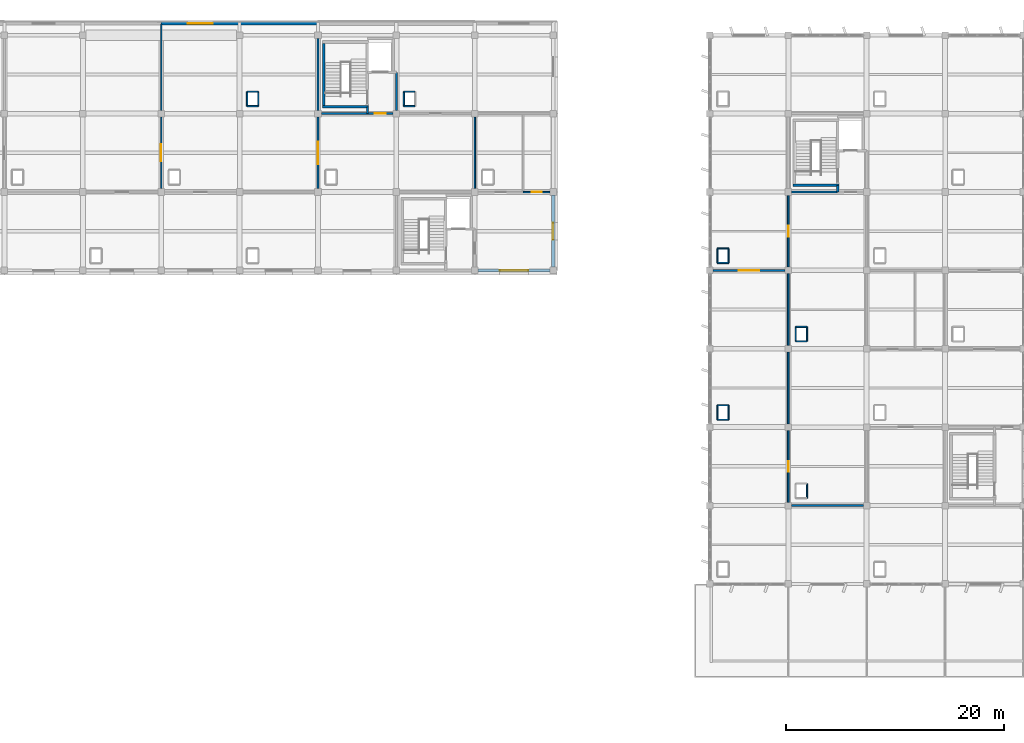
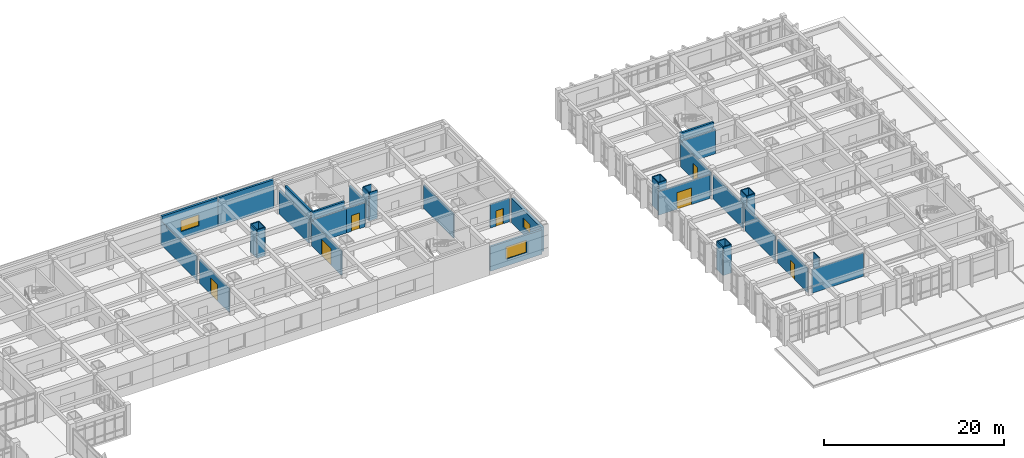
# One storey, part 54 of 62: 45 walls, 7 doors, 3 windows, 10 openings.
"""IFC4 building model written with IfcOpenShell, lengths in metres."""

from ifc_helpers import new_model, si_unit, direction, frame, frame_2d, origin, place, context, subcontext, project, spatial, rectangle, extrude, material, layer, layer_set, type_object, element, fill, save


model = new_model("IFC4")

# Units and contexts
model_context = context("Model", 3, precision=1e-05, world=origin(), true_north=direction((0.0, 1.0)))
body_context = subcontext(model_context, "Body", "Model", "MODEL_VIEW")
ifc_project = project(units=[si_unit("LENGTHUNIT", "METRE"), si_unit("AREAUNIT", "SQUARE_METRE"), si_unit("VOLUMEUNIT", "CUBIC_METRE"), si_unit("PLANEANGLEUNIT", "RADIAN"), si_unit("MASSUNIT", "GRAM", prefix="KILO")], contexts=[model_context])

# Site, building, storey
site_placement = place(None, origin())
site = spatial("IfcSite", under=ifc_project, at=site_placement, CompositionType="ELEMENT")
building_placement = place(site_placement, origin())
building = spatial("IfcBuilding", under=site, at=building_placement, Name="Kavelor Marine Aquarium", CompositionType="ELEMENT")
storey_placement = place(building_placement, frame((0.0, 0.0, 13.5)))
storey = spatial("IfcBuildingStorey", under=building, at=storey_placement, Name="L03", CompositionType="ELEMENT", Elevation=13.5)

# Wall, opening, window
ifc_material_1 = material(Name="Concrete C40/50", Category="concrete")
ifc_layer_1 = layer(ifc_material_1, 0.280029296875)
ifc_layer_set_1 = layer_set([ifc_layer_1], Name="WL-EX4")
wall_type_1 = type_object("IfcWallType", Name="WL-EX4", PredefinedType="STANDARD", material=ifc_layer_set_1)
wall_1_placement = place(storey_placement, frame((68.0, 111.8798828125, 0.0), z_axis=(0.0, 0.0, 1.0), x_axis=(1.0, 0.0, 0.0)))
wall_1 = element("IfcWall", 1, at=wall_1_placement, inside=storey, type_object=wall_type_1, Name="ew:x:L03:09_15", PredefinedType="STANDARD", context=body_context, shape_type="SweptSolid", body=[
    extrude(rectangle(XDim=7.199951171875, YDim=0.280029296875, at=frame_2d((3.60009765625, 0.0))), origin(), (0.0, 0.0, 1.0), 3.8701171875),
])
opening_1_placement = place(wall_1_placement, frame((2.449951171875, 0.0, 0.949951171875)))
opening_1 = element("IfcOpeningElement", 2, at=opening_1_placement, cuts=wall_1, Name="Opening W13", PredefinedType="OPENING", context=body_context, shape_type="SweptSolid", body=[
    extrude(rectangle(XDim=2.300048828125, YDim=1.5, at=frame_2d((1.14990234375, 0.75))), frame((0.0, 0.14990234375, 0.0), z_axis=(0.0, -1.0, 0.0), x_axis=(1.0, 0.0, 0.0)), (0.0, 0.0, 1.0), 0.300029),
])
ifc_material_2 = material(Name="Anodised Aluminium Frame with Low-E Double Glazing", Category="aluminium")
window_type_1 = type_object("IfcWindowType", Name="WIN-W13", PartitioningType="DOUBLE_PANEL_VERTICAL", PredefinedType="WINDOW", material=ifc_material_2)
window_1_placement = place(opening_1_placement, origin())
window_1 = element("IfcWindow", 3, at=window_1_placement, inside=storey, type_object=window_type_1, Name="win:x:L03:09_15", OverallHeight=1.5, OverallWidth=2.300048828125, PartitioningType="SINGLE_PANEL", PredefinedType="WINDOW", context=body_context, shape_type="SweptSolid", body=[
    extrude(rectangle(XDim=2.300048828125, YDim=1.5, at=frame_2d((1.14990234375, 0.75))), frame((0.0, 0.030029296875, 0.0), z_axis=(0.0, -1.0, 0.0), x_axis=(1.0, 0.0, 0.0)), (0.0, 0.0, 1.0), 0.06005859375),
])
fill(opening_1, window_1)

# Wall
ifc_material_3 = material(Name="Concrete C40/50", Category="concrete")
ifc_layer_2 = layer(ifc_material_3, 0.260009765625)
ifc_layer_set_2 = layer_set([ifc_layer_2], Name="WL-EX5")
wall_type_2 = type_object("IfcWallType", Name="WL-EX5", PredefinedType="STANDARD", material=ifc_layer_set_2)
wall_2_placement = place(storey_placement, frame((75.199951171875, 111.8798828125, 0.0), z_axis=(0.0, 0.0, 1.0), x_axis=(1.0, 0.0, 0.0)))
element("IfcWall", 4, at=wall_2_placement, inside=storey, type_object=wall_type_2, Name="ew:x:L03:10_15", PredefinedType="STANDARD", context=body_context, shape_type="SweptSolid", body=[
    extrude(rectangle(XDim=7.199951171875, YDim=0.260009765625, at=frame_2d((3.60009765625, 0.0))), origin(), (0.0, 0.0, 1.0), 3.85009765625),
])

# Wall, opening, window
wall_3_placement = place(storey_placement, frame((103.705078125, 89.199951171875, 0.0), z_axis=(0.0, 0.0, 1.0), x_axis=(-1.0, 0.0, 0.0)))
wall_3 = element("IfcWall", 5, at=wall_3_placement, inside=storey, type_object=wall_type_2, Name="ew:x:L03:13_12", PredefinedType="STANDARD", context=body_context, shape_type="SweptSolid", body=[
    extrude(rectangle(XDim=6.610107421875, YDim=0.260009765625, at=frame_2d((3.30517578125, 0.0))), origin(), (0.0, 0.0, 1.0), 3.320068359375),
])
opening_2_placement = place(wall_3_placement, frame((2.0048828125, 0.0, 0.949951171875)))
opening_2 = element("IfcOpeningElement", 6, at=opening_2_placement, cuts=wall_3, Name="Opening W16", PredefinedType="OPENING", context=body_context, shape_type="SweptSolid", body=[
    extrude(rectangle(XDim=2.60009765625, YDim=1.64990234375, at=frame_2d((1.300048828125, 0.824951171875))), frame((0.0, 0.139892578125, 0.0), z_axis=(0.0, -1.0, 0.0), x_axis=(1.0, 0.0, 0.0)), (0.0, 0.0, 1.0), 0.28001),
])
ifc_material_4 = material(Name="Anodised Aluminium Frame with Low-E Double Glazing", Category="aluminium")
window_type_2 = type_object("IfcWindowType", Name="WIN-W16", PartitioningType="DOUBLE_PANEL_VERTICAL", PredefinedType="WINDOW", material=ifc_material_4)
window_2_placement = place(opening_2_placement, origin())
window_2 = element("IfcWindow", 7, at=window_2_placement, inside=storey, type_object=window_type_2, Name="win:x:L03:13_12", OverallHeight=1.64990234375, OverallWidth=2.60009765625, PartitioningType="SINGLE_PANEL", PredefinedType="WINDOW", context=body_context, shape_type="SweptSolid", body=[
    extrude(rectangle(XDim=2.60009765625, YDim=1.64990234375, at=frame_2d((1.300048828125, 0.824951171875))), frame((0.0, 0.030029296875, 0.0), z_axis=(0.0, -1.0, 0.0), x_axis=(1.0, 0.0, 0.0)), (0.0, 0.0, 1.0), 0.06005859375),
])
fill(opening_2, window_2)

ifc_material_5 = material(Name="Concrete C45/55", Category="concrete")
ifc_layer_3 = layer(ifc_material_5, 0.340087890625)
ifc_layer_set_3 = layer_set([ifc_layer_3], Name="WL-EX6")
wall_type_3 = type_object("IfcWallType", Name="WL-EX6", PredefinedType="STANDARD", material=ifc_layer_set_3)
wall_4_placement = place(storey_placement, frame((104.0, 96.10498046875, 0.0), z_axis=(0.0, 0.0, 1.0), x_axis=(0.0, -1.0, 0.0)))
wall_4 = element("IfcWall", 8, at=wall_4_placement, inside=storey, type_object=wall_type_3, Name="ew:y:L03:14_12", PredefinedType="STANDARD", context=body_context, shape_type="SweptSolid", body=[
    extrude(rectangle(XDim=6.60986328125, YDim=0.340087890625, at=frame_2d((3.304931640625, 0.0))), origin(), (0.0, 0.0, 1.0), 3.320068359375),
])
opening_3_placement = place(wall_4_placement, frame((2.530029296875, 0.0, 0.949951171875)))
opening_3 = element("IfcOpeningElement", 9, at=opening_3_placement, cuts=wall_4, Name="Opening W27", PredefinedType="OPENING", context=body_context, shape_type="SweptSolid", body=[
    extrude(rectangle(XDim=1.550048828125, YDim=1.25, at=frame_2d((0.77490234375, 0.625))), frame((0.0, 0.179931640625, 0.0), z_axis=(0.0, -1.0, 0.0), x_axis=(1.0, 0.0, 0.0)), (0.0, 0.0, 1.0), 0.360088),
])
ifc_material_6 = material(Name="Anodised Aluminium Frame with Low-E Double Glazing", Category="aluminium")
window_type_3 = type_object("IfcWindowType", Name="WIN-W27", PartitioningType="SINGLE_PANEL", PredefinedType="WINDOW", material=ifc_material_6)
window_3_placement = place(opening_3_placement, origin())
window_3 = element("IfcWindow", 10, at=window_3_placement, inside=storey, type_object=window_type_3, Name="win:y:L03:14_12", OverallHeight=1.25, OverallWidth=1.550048828125, PartitioningType="SINGLE_PANEL", PredefinedType="WINDOW", context=body_context, shape_type="SweptSolid", body=[
    extrude(rectangle(XDim=1.550048828125, YDim=1.25, at=frame_2d((0.77490234375, 0.625))), frame((0.0, 0.030029296875, 0.0), z_axis=(0.0, -1.0, 0.0), x_axis=(1.0, 0.0, 0.0)), (0.0, 0.0, 1.0), 0.06005859375),
])
fill(opening_3, window_3)

# Walls
ifc_material_7 = material(Name="Concrete Blockwork Partition", Category="masonry")
ifc_layer_4 = layer(ifc_material_7, 0.199951171875)
ifc_layer_set_4 = layer_set([ifc_layer_4], Name="WL-PT1")
wall_type_4 = type_object("IfcWallType", Name="WL-PT1", PredefinedType="PARTITIONING", material=ifc_layer_set_4)
wall_5_placement = place(storey_placement, frame((86.93994140625, 103.60009765625, 0.0), z_axis=(0.0, 0.0, 1.0), x_axis=(0.0, 1.0, 0.0)))
element("IfcWall", 11, at=wall_5_placement, inside=storey, type_object=wall_type_4, Name="pt:st_close:s:C06:L03", PredefinedType="PARTITIONING", context=body_context, shape_type="SweptSolid", body=[
    extrude(rectangle(XDim=0.619873046875, YDim=0.199951171875, at=frame_2d((0.31005859375, 0.0))), origin(), (0.0, 0.0, 1.0), 3.27001953125),
])
wall_6_placement = place(storey_placement, frame((82.39990234375, 103.89990234375, 0.0), z_axis=(0.0, 0.0, 1.0), x_axis=(0.0, 1.0, 0.0)))
element("IfcWall", 12, at=wall_6_placement, inside=storey, type_object=wall_type_4, Name="pt:lob:C06:L03:w", PredefinedType="PARTITIONING", context=body_context, shape_type="SweptSolid", body=[
    extrude(rectangle(XDim=6.60009765625, YDim=0.199951171875, at=frame_2d((3.300048828125, 0.0))), origin(), (0.0, 0.0, 1.0), 3.199951171875),
])
wall_7_placement = place(storey_placement, frame((89.60009765625, 103.89990234375, 0.0), z_axis=(0.0, 0.0, 1.0), x_axis=(0.0, 1.0, 0.0)))
element("IfcWall", 13, at=wall_7_placement, inside=storey, type_object=wall_type_4, Name="pt:lob:C06:L03:e", PredefinedType="PARTITIONING", context=body_context, shape_type="SweptSolid", body=[
    extrude(rectangle(XDim=3.5, YDim=0.199951171875, at=frame_2d((1.75, 0.0))), origin(), (0.0, 0.0, 1.0), 3.199951171875),
])
wall_8_placement = place(storey_placement, frame((82.699951171875, 103.60009765625, 0.0), z_axis=(0.0, 0.0, 1.0), x_axis=(1.0, 0.0, 0.0)))
element("IfcWall", 14, at=wall_8_placement, inside=storey, type_object=wall_type_4, Name="pt:lob:C06:L03:s_st", PredefinedType="PARTITIONING", context=body_context, shape_type="SweptSolid", body=[
    extrude(rectangle(XDim=4.239990234375, YDim=0.199951171875, at=frame_2d((2.1201171875, 0.0))), origin(), (0.0, 0.0, 1.0), 3.27001953125),
])

# Wall, opening, door
wall_9_placement = place(storey_placement, frame((86.93994140625, 103.60009765625, 0.0), z_axis=(0.0, 0.0, 1.0), x_axis=(1.0, 0.0, 0.0)))
wall_9 = element("IfcWall", 15, at=wall_9_placement, inside=storey, type_object=wall_type_4, Name="pt:lob:C06:L03:s", PredefinedType="PARTITIONING", context=body_context, shape_type="SweptSolid", body=[
    extrude(rectangle(XDim=2.360107421875, YDim=0.199951171875, at=frame_2d((1.18017578125, 0.0))), origin(), (0.0, 0.0, 1.0), 3.27001953125),
])
opening_4_placement = place(wall_9_placement, frame((0.669921875, 0.0, 0.0)))
opening_4 = element("IfcOpeningElement", 16, at=opening_4_placement, cuts=wall_9, Name="Opening SD1", PredefinedType="OPENING", context=body_context, shape_type="SweptSolid", body=[
    extrude(rectangle(XDim=1.02001953125, YDim=2.14990234375, at=frame_2d((0.510009765625, 1.074951171875))), frame((0.0, 0.10986328125, 0.0), z_axis=(0.0, -1.0, 0.0), x_axis=(1.0, 0.0, 0.0)), (0.0, 0.0, 1.0), 0.219951),
])
ifc_material_8 = material(Name="Fire-Rated Corridor Compartment Door")
door_type_1 = type_object("IfcDoorType", Name="DR-SD1", OperationType="NOTDEFINED", PredefinedType="DOOR", material=ifc_material_8)
door_1_placement = place(opening_4_placement, origin())
door_1 = element("IfcDoor", 17, at=door_1_placement, inside=storey, type_object=door_type_1, Name="Core Lobby Fire Door C06-L03", OperationType="SINGLE_SWING_RIGHT", OverallHeight=2.14990234375, OverallWidth=1.02001953125, PredefinedType="DOOR", context=body_context, shape_type="SweptSolid", body=[
    extrude(rectangle(XDim=1.02001953125, YDim=2.14990234375, at=frame_2d((0.510009765625, 1.074951171875))), frame((0.0, 0.02490234375, 0.0), z_axis=(0.0, -1.0, 0.0), x_axis=(1.0, 0.0, 0.0)), (0.0, 0.0, 1.0), 0.050048828125),
])
fill(opening_4, door_1)

# Walls
wall_10_placement = place(storey_placement, frame((130.139892578125, 96.39990234375, 0.0), z_axis=(0.0, 0.0, 1.0), x_axis=(0.0, 1.0, 0.0)))
element("IfcWall", 18, at=wall_10_placement, inside=storey, type_object=wall_type_4, Name="pt:st_close:s:C10:L03", PredefinedType="PARTITIONING", context=body_context, shape_type="SweptSolid", body=[
    extrude(rectangle(XDim=0.6201171875, YDim=0.199951171875, at=frame_2d((0.31005859375, 0.0))), origin(), (0.0, 0.0, 1.0), 3.219970703125),
])
wall_11_placement = place(storey_placement, frame((125.89990234375, 96.39990234375, 0.0), z_axis=(0.0, 0.0, 1.0), x_axis=(1.0, 0.0, 0.0)))
element("IfcWall", 19, at=wall_11_placement, inside=storey, type_object=wall_type_4, Name="pt:lob:C10:L03:s_st", PredefinedType="PARTITIONING", context=body_context, shape_type="SweptSolid", body=[
    extrude(rectangle(XDim=4.239990234375, YDim=0.199951171875, at=frame_2d((2.1201171875, 0.0))), origin(), (0.0, 0.0, 1.0), 3.219970703125),
])

# Wall, opening, door
ifc_material_9 = material(Name="Acoustic Gypsum Stud Partition")
ifc_layer_5 = layer(ifc_material_9, 0.159912109375)
ifc_layer_set_5 = layer_set([ifc_layer_5], Name="WL-PT2")
wall_type_5 = type_object("IfcWallType", Name="WL-PT2", PredefinedType="PARTITIONING", material=ifc_layer_set_5)
wall_12_placement = place(storey_placement, frame((82.39990234375, 96.699951171875, 0.0), z_axis=(0.0, 0.0, 1.0), x_axis=(0.0, 1.0, 0.0)))
wall_12 = element("IfcWall", 20, at=wall_12_placement, inside=storey, type_object=wall_type_5, Name="pt:y:L03:10_13", PredefinedType="PARTITIONING", context=body_context, shape_type="SweptSolid", body=[
    extrude(rectangle(XDim=6.60009765625, YDim=0.159912109375, at=frame_2d((3.300048828125, 0.0))), origin(), (0.0, 0.0, 1.0), 3.25),
])
opening_5_placement = place(wall_12_placement, frame((2.27001953125, 0.0, 0.0)))
opening_5 = element("IfcOpeningElement", 21, at=opening_5_placement, cuts=wall_12, Name="Opening D14", PredefinedType="OPENING", context=body_context, shape_type="SweptSolid", body=[
    extrude(rectangle(XDim=2.06005859375, YDim=2.280029296875, at=frame_2d((1.030029296875, 1.14013671875))), frame((0.0, 0.08984375, 0.0), z_axis=(0.0, -1.0, 0.0), x_axis=(1.0, 0.0, 0.0)), (0.0, 0.0, 1.0), 0.179912),
])
ifc_material_10 = material(Name="LSS Filtration Equipment Double Door")
door_type_2 = type_object("IfcDoorType", Name="DR-D14", OperationType="NOTDEFINED", PredefinedType="DOOR", material=ifc_material_10)
door_2_placement = place(opening_5_placement, origin())
door_2 = element("IfcDoor", 22, at=door_2_placement, inside=storey, type_object=door_type_2, Name="dr:rm:pt:y:L03:10_13:1", OperationType="DOUBLE_DOOR_SINGLE_SWING", OverallHeight=2.280029296875, OverallWidth=2.06005859375, PredefinedType="DOOR", context=body_context, shape_type="SweptSolid", body=[
    extrude(rectangle(XDim=2.06005859375, YDim=2.280029296875, at=frame_2d((1.030029296875, 1.14013671875))), frame((0.0, 0.02490234375, 0.0), z_axis=(0.0, -1.0, 0.0), x_axis=(1.0, 0.0, 0.0)), (0.0, 0.0, 1.0), 0.050048828125),
])
fill(opening_5, door_2)

wall_13_placement = place(storey_placement, frame((125.60009765625, 67.89990234375, 0.0), z_axis=(0.0, 0.0, 1.0), x_axis=(0.0, 1.0, 0.0)))
wall_13 = element("IfcWall", 23, at=wall_13_placement, inside=storey, type_object=wall_type_5, Name="pt:y:L03:16_09", PredefinedType="PARTITIONING", context=body_context, shape_type="SweptSolid", body=[
    extrude(rectangle(XDim=6.60009765625, YDim=0.159912109375, at=frame_2d((3.300048828125, 0.0))), origin(), (0.0, 0.0, 1.0), 3.25),
])
opening_6_placement = place(wall_13_placement, frame((2.81005859375, 0.0, 0.0)))
opening_6 = element("IfcOpeningElement", 24, at=opening_6_placement, cuts=wall_13, Name="Opening D07", PredefinedType="OPENING", context=body_context, shape_type="SweptSolid", body=[
    extrude(rectangle(XDim=0.97998046875, YDim=2.1201171875, at=frame_2d((0.489990234375, 1.06005859375))), frame((0.0, 0.08984375, 0.0), z_axis=(0.0, -1.0, 0.0), x_axis=(1.0, 0.0, 0.0)), (0.0, 0.0, 1.0), 0.179912),
])
ifc_material_11 = material(Name="Research Write-Up Timber Door", Category="wood")
door_type_3 = type_object("IfcDoorType", Name="DR-D07", OperationType="NOTDEFINED", PredefinedType="DOOR", material=ifc_material_11)
door_3_placement = place(opening_6_placement, origin())
door_3 = element("IfcDoor", 25, at=door_3_placement, inside=storey, type_object=door_type_3, Name="dr:rm:pt:y:L03:16_09:0", OperationType="SINGLE_SWING_RIGHT", OverallHeight=2.1201171875, OverallWidth=0.97998046875, PredefinedType="DOOR", context=body_context, shape_type="SweptSolid", body=[
    extrude(rectangle(XDim=0.97998046875, YDim=2.1201171875, at=frame_2d((0.489990234375, 1.06005859375))), frame((0.0, 0.02490234375, 0.0), z_axis=(0.0, -1.0, 0.0), x_axis=(1.0, 0.0, 0.0)), (0.0, 0.0, 1.0), 0.050048828125),
])
fill(opening_6, door_3)

# Walls
wall_14_placement = place(storey_placement, frame((125.60009765625, 75.10009765625, 0.0), z_axis=(0.0, 0.0, 1.0), x_axis=(0.0, 1.0, 0.0)))
element("IfcWall", 26, at=wall_14_placement, inside=storey, type_object=wall_type_5, Name="pt:y:L03:16_10", PredefinedType="PARTITIONING", context=body_context, shape_type="SweptSolid", body=[
    extrude(rectangle(XDim=6.599853515625, YDim=0.159912109375, at=frame_2d((3.2998046875, 0.0))), origin(), (0.0, 0.0, 1.0), 3.199951171875),
])
wall_15_placement = place(storey_placement, frame((125.60009765625, 82.300048828125, 0.0), z_axis=(0.0, 0.0, 1.0), x_axis=(0.0, 1.0, 0.0)))
element("IfcWall", 27, at=wall_15_placement, inside=storey, type_object=wall_type_5, Name="pt:y:L03:16_11", PredefinedType="PARTITIONING", context=body_context, shape_type="SweptSolid", body=[
    extrude(rectangle(XDim=6.599853515625, YDim=0.159912109375, at=frame_2d((3.2998046875, 0.0))), origin(), (0.0, 0.0, 1.0), 3.25),
])

# Wall, opening, door
wall_16_placement = place(storey_placement, frame((118.699951171875, 89.199951171875, 0.0), z_axis=(0.0, 0.0, 1.0), x_axis=(1.0, 0.0, 0.0)))
wall_16 = element("IfcWall", 28, at=wall_16_placement, inside=storey, type_object=wall_type_5, Name="pt:x:L03:16_11", PredefinedType="PARTITIONING", context=body_context, shape_type="SweptSolid", body=[
    extrude(rectangle(XDim=6.60009765625, YDim=0.159912109375, at=frame_2d((3.300048828125, 0.0))), origin(), (0.0, 0.0, 1.0), 3.199951171875),
])
opening_7_placement = place(wall_16_placement, frame((2.3701171875, 0.0, 0.0)))
opening_7 = element("IfcOpeningElement", 29, at=opening_7_placement, cuts=wall_16, Name="Opening D13", PredefinedType="OPENING", context=body_context, shape_type="SweptSolid", body=[
    extrude(rectangle(XDim=1.860107421875, YDim=2.260009765625, at=frame_2d((0.93017578125, 1.1298828125))), frame((0.0, 0.08984375, 0.0), z_axis=(0.0, -1.0, 0.0), x_axis=(1.0, 0.0, 0.0)), (0.0, 0.0, 1.0), 0.179912),
])
ifc_material_12 = material(Name="Main Foyer Exhibition Double Door")
door_type_4 = type_object("IfcDoorType", Name="DR-D13", OperationType="NOTDEFINED", PredefinedType="DOOR", material=ifc_material_12)
door_4_placement = place(opening_7_placement, origin())
door_4 = element("IfcDoor", 30, at=door_4_placement, inside=storey, type_object=door_type_4, Name="dr:rm:pt:x:L03:16_11:0", OperationType="DOUBLE_DOOR_SINGLE_SWING", OverallHeight=2.260009765625, OverallWidth=1.860107421875, PredefinedType="DOOR", context=body_context, shape_type="SweptSolid", body=[
    extrude(rectangle(XDim=1.860107421875, YDim=2.260009765625, at=frame_2d((0.93017578125, 1.1298828125))), frame((0.0, 0.02490234375, 0.0), z_axis=(0.0, -1.0, 0.0), x_axis=(1.0, 0.0, 0.0)), (0.0, 0.0, 1.0), 0.050048828125),
])
fill(opening_7, door_4)

wall_17_placement = place(storey_placement, frame((125.60009765625, 89.5, 0.0), z_axis=(0.0, 0.0, 1.0), x_axis=(0.0, 1.0, 0.0)))
wall_17 = element("IfcWall", 31, at=wall_17_placement, inside=storey, type_object=wall_type_5, Name="pt:y:L03:16_12", PredefinedType="PARTITIONING", context=body_context, shape_type="SweptSolid", body=[
    extrude(rectangle(XDim=6.60009765625, YDim=0.159912109375, at=frame_2d((3.300048828125, 0.0))), origin(), (0.0, 0.0, 1.0), 3.199951171875),
])
opening_8_placement = place(wall_17_placement, frame((2.81005859375, 0.0, 0.0)))
opening_8 = element("IfcOpeningElement", 32, at=opening_8_placement, cuts=wall_17, Name="Opening D07", PredefinedType="OPENING", context=body_context, shape_type="SweptSolid", body=[
    extrude(rectangle(XDim=0.97998046875, YDim=2.1201171875, at=frame_2d((0.489990234375, 1.06005859375))), frame((0.0, 0.08984375, 0.0), z_axis=(0.0, -1.0, 0.0), x_axis=(1.0, 0.0, 0.0)), (0.0, 0.0, 1.0), 0.179912),
])
door_5_placement = place(opening_8_placement, origin())
door_5 = element("IfcDoor", 33, at=door_5_placement, inside=storey, type_object=door_type_3, Name="dr:rm:pt:y:L03:16_12:0", OperationType="SINGLE_SWING_RIGHT", OverallHeight=2.1201171875, OverallWidth=0.97998046875, PredefinedType="DOOR", context=body_context, shape_type="SweptSolid", body=[
    extrude(rectangle(XDim=0.97998046875, YDim=2.1201171875, at=frame_2d((0.489990234375, 1.06005859375))), frame((0.0, 0.02490234375, 0.0), z_axis=(0.0, -1.0, 0.0), x_axis=(1.0, 0.0, 0.0)), (0.0, 0.0, 1.0), 0.050048828125),
])
fill(opening_8, door_5)

# Wall
wall_18_placement = place(storey_placement, frame((125.89990234375, 67.60009765625, 0.0), z_axis=(0.0, 0.0, 1.0), x_axis=(1.0, 0.0, 0.0)))
element("IfcWall", 34, at=wall_18_placement, inside=storey, type_object=wall_type_5, Name="pt:x:L03:17_08", PredefinedType="PARTITIONING", context=body_context, shape_type="SweptSolid", body=[
    extrude(rectangle(XDim=6.60009765625, YDim=0.159912109375, at=frame_2d((3.300048828125, 0.0))), origin(), (0.0, 0.0, 1.0), 3.199951171875),
])

# Wall, opening, door
ifc_material_13 = material(Name="Moisture-Resistant Marine Partition")
ifc_layer_6 = layer(ifc_material_13, 0.139892578125)
ifc_layer_set_6 = layer_set([ifc_layer_6], Name="WL-PT3")
wall_type_6 = type_object("IfcWallType", Name="WL-PT3", PredefinedType="PARTITIONING", material=ifc_layer_set_6)
wall_19_placement = place(storey_placement, frame((101.25, 96.39990234375, 0.0), z_axis=(0.0, 0.0, 1.0), x_axis=(1.0, 0.0, 0.0)))
wall_19 = element("IfcWall", 35, at=wall_19_placement, inside=storey, type_object=wall_type_6, Name="pt:san:f2:L03:13_13", PredefinedType="PARTITIONING", context=body_context, shape_type="SweptSolid", body=[
    extrude(rectangle(XDim=2.449951171875, YDim=0.139892578125, at=frame_2d((1.22509765625, 0.0))), origin(), (0.0, 0.0, 1.0), 3.219970703125),
])
opening_9_placement = place(wall_19_placement, frame((0.764892578125, 0.0, 0.0)))
opening_9 = element("IfcOpeningElement", 36, at=opening_9_placement, cuts=wall_19, Name="Opening D02", PredefinedType="OPENING", context=body_context, shape_type="SweptSolid", body=[
    extrude(rectangle(XDim=0.919921875, YDim=2.080078125, at=frame_2d((0.4599609375, 1.0400390625))), frame((0.0, 0.079833984375, 0.0), z_axis=(0.0, -1.0, 0.0), x_axis=(1.0, 0.0, 0.0)), (0.0, 0.0, 1.0), 0.159893),
])
ifc_material_14 = material(Name="Moisture-Resistant Laminate Sanitary Door")
door_type_5 = type_object("IfcDoorType", Name="DR-D02", OperationType="NOTDEFINED", PredefinedType="DOOR", material=ifc_material_14)
door_6_placement = place(opening_9_placement, origin())
door_6 = element("IfcDoor", 37, at=door_6_placement, inside=storey, type_object=door_type_5, Name="dr:awc:L03:13_13", OperationType="SINGLE_SWING_RIGHT", OverallHeight=2.080078125, OverallWidth=0.919921875, PredefinedType="DOOR", context=body_context, shape_type="SweptSolid", body=[
    extrude(rectangle(XDim=0.919921875, YDim=2.080078125, at=frame_2d((0.4599609375, 1.0400390625))), frame((0.0, 0.02490234375, 0.0), z_axis=(0.0, -1.0, 0.0), x_axis=(1.0, 0.0, 0.0)), (0.0, 0.0, 1.0), 0.050048828125),
])
fill(opening_9, door_6)

# Walls
wall_20_placement = place(storey_placement, frame((96.800048828125, 96.699951171875, 0.0), z_axis=(0.0, 0.0, 1.0), x_axis=(0.0, 1.0, 0.0)))
element("IfcWall", 38, at=wall_20_placement, inside=storey, type_object=wall_type_6, Name="pt:san:enc_w:L03:13_13", PredefinedType="PARTITIONING", context=body_context, shape_type="SweptSolid", body=[
    extrude(rectangle(XDim=6.60009765625, YDim=0.139892578125, at=frame_2d((3.300048828125, 0.0))), origin(), (0.0, 0.0, 1.0), 3.25),
])
ifc_material_15 = material(Name="Lightweight Drywall Partition")
ifc_layer_7 = layer(ifc_material_15, 0.1201171875)
ifc_layer_set_7 = layer_set([ifc_layer_7], Name="WL-PT4")
wall_type_7 = type_object("IfcWallType", Name="WL-PT4", PredefinedType="PARTITIONING", material=ifc_layer_set_7)
for number, where, z_axis, x_axis, name in (
    (39, (75.889892578125, 104.2900390625, 0.0), (0.0, 0.0, 1.0), (1.0, 0.0, 0.0), "riser:s:L03:10_14"),
    (40, (75.889892578125, 105.610107421875, 0.0), (0.0, 0.0, 1.0), (1.0, 0.0, 0.0), "riser:n:L03:10_14"),
):
    element("IfcWall", number, at=place(storey_placement, frame(where, z_axis=z_axis, x_axis=x_axis)), inside=storey, type_object=wall_type_7, Name=name, PredefinedType="PARTITIONING", context=body_context, shape_type="SweptSolid", body=[
        extrude(rectangle(XDim=1.02001953125, YDim=0.1201171875, at=frame_2d((0.510009765625, 0.0))), origin(), (0.0, 0.0, 1.0), 3.840087890625),
    ])
for number, where, z_axis, x_axis, name in (
    (41, (75.889892578125, 104.2900390625, 0.0), (0.0, 0.0, 1.0), (0.0, 1.0, 0.0), "riser:w:L03:10_14"),
    (42, (76.909912109375, 104.2900390625, 0.0), (0.0, 0.0, 1.0), (0.0, 1.0, 0.0), "riser:e:L03:10_14"),
):
    element("IfcWall", number, at=place(storey_placement, frame(where, z_axis=z_axis, x_axis=x_axis)), inside=storey, type_object=wall_type_7, Name=name, PredefinedType="PARTITIONING", context=body_context, shape_type="SweptSolid", body=[
        extrude(rectangle(XDim=1.320068359375, YDim=0.1201171875, at=frame_2d((0.66015625, 0.0))), origin(), (0.0, 0.0, 1.0), 3.840087890625),
    ])
for number, where, z_axis, x_axis, name in (
    (43, (90.2900390625, 104.2900390625, 0.0), (0.0, 0.0, 1.0), (1.0, 0.0, 0.0), "riser:s:L03:12_14"),
    (44, (90.2900390625, 105.610107421875, 0.0), (0.0, 0.0, 1.0), (1.0, 0.0, 0.0), "riser:n:L03:12_14"),
):
    element("IfcWall", number, at=place(storey_placement, frame(where, z_axis=z_axis, x_axis=x_axis)), inside=storey, type_object=wall_type_7, Name=name, PredefinedType="PARTITIONING", context=body_context, shape_type="SweptSolid", body=[
        extrude(rectangle(XDim=1.02001953125, YDim=0.1201171875, at=frame_2d((0.510009765625, 0.0))), origin(), (0.0, 0.0, 1.0), 3.840087890625),
    ])
wall_21_placement = place(storey_placement, frame((90.2900390625, 104.2900390625, 0.0), z_axis=(0.0, 0.0, 1.0), x_axis=(0.0, 1.0, 0.0)))
element("IfcWall", 45, at=wall_21_placement, inside=storey, type_object=wall_type_7, Name="riser:w:L03:12_14", PredefinedType="PARTITIONING", context=body_context, shape_type="SweptSolid", body=[
    extrude(rectangle(XDim=1.320068359375, YDim=0.1201171875, at=frame_2d((0.66015625, 0.0))), origin(), (0.0, 0.0, 1.0), 3.840087890625),
])
for number, where, z_axis, x_axis, name in (
    (46, (119.090087890625, 75.489990234375, 0.0), (0.0, 0.0, 1.0), (1.0, 0.0, 0.0), "riser:s:L03:16_10"),
    (47, (119.090087890625, 76.81005859375, 0.0), (0.0, 0.0, 1.0), (1.0, 0.0, 0.0), "riser:n:L03:16_10"),
):
    element("IfcWall", number, at=place(storey_placement, frame(where, z_axis=z_axis, x_axis=x_axis)), inside=storey, type_object=wall_type_7, Name=name, PredefinedType="PARTITIONING", context=body_context, shape_type="SweptSolid", body=[
        extrude(rectangle(XDim=1.02001953125, YDim=0.1201171875, at=frame_2d((0.510009765625, 0.0))), origin(), (0.0, 0.0, 1.0), 3.840087890625),
    ])
for number, where, z_axis, x_axis, name in (
    (48, (119.090087890625, 75.489990234375, 0.0), (0.0, 0.0, 1.0), (0.0, 1.0, 0.0), "riser:w:L03:16_10"),
    (49, (120.110107421875, 75.489990234375, 0.0), (0.0, 0.0, 1.0), (0.0, 1.0, 0.0), "riser:e:L03:16_10"),
):
    element("IfcWall", number, at=place(storey_placement, frame(where, z_axis=z_axis, x_axis=x_axis)), inside=storey, type_object=wall_type_7, Name=name, PredefinedType="PARTITIONING", context=body_context, shape_type="SweptSolid", body=[
        extrude(rectangle(XDim=1.320068359375, YDim=0.1201171875, at=frame_2d((0.66015625, 0.0))), origin(), (0.0, 0.0, 1.0), 3.840087890625),
    ])
for number, where, z_axis, x_axis, name in (
    (50, (119.090087890625, 89.889892578125, 0.0), (0.0, 0.0, 1.0), (1.0, 0.0, 0.0), "riser:s:L03:16_12"),
    (51, (119.090087890625, 91.2099609375, 0.0), (0.0, 0.0, 1.0), (1.0, 0.0, 0.0), "riser:n:L03:16_12"),
):
    element("IfcWall", number, at=place(storey_placement, frame(where, z_axis=z_axis, x_axis=x_axis)), inside=storey, type_object=wall_type_7, Name=name, PredefinedType="PARTITIONING", context=body_context, shape_type="SweptSolid", body=[
        extrude(rectangle(XDim=1.02001953125, YDim=0.1201171875, at=frame_2d((0.510009765625, 0.0))), origin(), (0.0, 0.0, 1.0), 3.840087890625),
    ])
for number, where, z_axis, x_axis, name in (
    (52, (119.090087890625, 89.889892578125, 0.0), (0.0, 0.0, 1.0), (0.0, 1.0, 0.0), "riser:w:L03:16_12"),
    (53, (120.110107421875, 89.889892578125, 0.0), (0.0, 0.0, 1.0), (0.0, 1.0, 0.0), "riser:e:L03:16_12"),
):
    element("IfcWall", number, at=place(storey_placement, frame(where, z_axis=z_axis, x_axis=x_axis)), inside=storey, type_object=wall_type_7, Name=name, PredefinedType="PARTITIONING", context=body_context, shape_type="SweptSolid", body=[
        extrude(rectangle(XDim=1.320068359375, YDim=0.1201171875, at=frame_2d((0.66015625, 0.0))), origin(), (0.0, 0.0, 1.0), 3.840087890625),
    ])
wall_22_placement = place(storey_placement, frame((127.31005859375, 68.2900390625, 0.0), z_axis=(0.0, 0.0, 1.0), x_axis=(0.0, 1.0, 0.0)))
element("IfcWall", 54, at=wall_22_placement, inside=storey, type_object=wall_type_7, Name="riser:e:L03:17_09", PredefinedType="PARTITIONING", context=body_context, shape_type="SweptSolid", body=[
    extrude(rectangle(XDim=1.320068359375, YDim=0.1201171875, at=frame_2d((0.66015625, 0.0))), origin(), (0.0, 0.0, 1.0), 3.860107421875),
])
for number, where, z_axis, x_axis, name in (
    (55, (126.2900390625, 82.68994140625, 0.0), (0.0, 0.0, 1.0), (1.0, 0.0, 0.0), "riser:s:L03:17_11"),
    (56, (126.2900390625, 84.010009765625, 0.0), (0.0, 0.0, 1.0), (1.0, 0.0, 0.0), "riser:n:L03:17_11"),
):
    element("IfcWall", number, at=place(storey_placement, frame(where, z_axis=z_axis, x_axis=x_axis)), inside=storey, type_object=wall_type_7, Name=name, PredefinedType="PARTITIONING", context=body_context, shape_type="SweptSolid", body=[
        extrude(rectangle(XDim=1.02001953125, YDim=0.1201171875, at=frame_2d((0.510009765625, 0.0))), origin(), (0.0, 0.0, 1.0), 3.860107421875),
    ])
for number, where, z_axis, x_axis, name in (
    (57, (126.2900390625, 82.68994140625, 0.0), (0.0, 0.0, 1.0), (0.0, 1.0, 0.0), "riser:w:L03:17_11"),
    (58, (127.31005859375, 82.68994140625, 0.0), (0.0, 0.0, 1.0), (0.0, 1.0, 0.0), "riser:e:L03:17_11"),
):
    element("IfcWall", number, at=place(storey_placement, frame(where, z_axis=z_axis, x_axis=x_axis)), inside=storey, type_object=wall_type_7, Name=name, PredefinedType="PARTITIONING", context=body_context, shape_type="SweptSolid", body=[
        extrude(rectangle(XDim=1.320068359375, YDim=0.1201171875, at=frame_2d((0.66015625, 0.0))), origin(), (0.0, 0.0, 1.0), 3.860107421875),
    ])

# Wall, opening, door
wall_23_placement = place(storey_placement, frame((68.0, 96.699951171875, 0.0), z_axis=(0.0, 0.0, 1.0), x_axis=(0.0, 1.0, 0.0)))
wall_23 = element("IfcWall", 59, at=wall_23_placement, inside=storey, type_object=wall_type_7, Name="pt:y:L03:08_13", PredefinedType="PARTITIONING", context=body_context, shape_type="SweptSolid", body=[
    extrude(rectangle(XDim=6.60009765625, YDim=0.1201171875, at=frame_2d((3.300048828125, 0.0))), origin(), (0.0, 0.0, 1.0), 3.25),
])
opening_10_placement = place(wall_23_placement, frame((2.52001953125, 0.0, 0.0)))
opening_10 = element("IfcOpeningElement", 60, at=opening_10_placement, cuts=wall_23, Name="Opening D03", PredefinedType="OPENING", context=body_context, shape_type="SweptSolid", body=[
    extrude(rectangle(XDim=1.56005859375, YDim=2.199951171875, at=frame_2d((0.780029296875, 1.10009765625))), frame((0.0, 0.070068359375, 0.0), z_axis=(0.0, -1.0, 0.0), x_axis=(1.0, 0.0, 0.0)), (0.0, 0.0, 1.0), 0.140117),
])
ifc_material_16 = material(Name="Glazed Aluminium Gallery Double Door", Category="aluminium")
door_type_6 = type_object("IfcDoorType", Name="DR-D03", OperationType="NOTDEFINED", PredefinedType="DOOR", material=ifc_material_16)
door_7_placement = place(opening_10_placement, origin())
door_7 = element("IfcDoor", 61, at=door_7_placement, inside=storey, type_object=door_type_6, Name="dr:rm:pt:y:L03:08_13:0", OperationType="DOUBLE_DOOR_SINGLE_SWING", OverallHeight=2.199951171875, OverallWidth=1.56005859375, PredefinedType="DOOR", context=body_context, shape_type="SweptSolid", body=[
    extrude(rectangle(XDim=1.56005859375, YDim=2.199951171875, at=frame_2d((0.780029296875, 1.10009765625))), frame((0.0, 0.02490234375, 0.0), z_axis=(0.0, -1.0, 0.0), x_axis=(1.0, 0.0, 0.0)), (0.0, 0.0, 1.0), 0.050048828125),
])
fill(opening_10, door_7)

# Walls
wall_24_placement = place(storey_placement, frame((68.0, 103.89990234375, 0.0), z_axis=(0.0, 0.0, 1.0), x_axis=(0.0, 1.0, 0.0)))
element("IfcWall", 62, at=wall_24_placement, inside=storey, type_object=wall_type_7, Name="pt:y:L03:08_14", PredefinedType="PARTITIONING", context=body_context, shape_type="SweptSolid", body=[
    extrude(rectangle(XDim=7.920166015625, YDim=0.1201171875, at=frame_2d((3.9599609375, 0.0))), origin(), (0.0, 0.0, 1.0), 3.199951171875),
])
ifc_material_17 = material(Name="Concrete C40/50", Category="concrete")
ifc_layer_8 = layer(ifc_material_17, 0.35009765625)
ifc_layer_set_8 = layer_set([ifc_layer_8], Name="WL-SW2")
wall_type_8 = type_object("IfcWallType", Name="WL-SW2", PredefinedType="SHEAR", material=ifc_layer_set_8)
wall_25_placement = place(storey_placement, frame((82.820068359375, 104.219970703125, 0.0), z_axis=(0.0, 0.0, 1.0), x_axis=(1.0, 0.0, 0.0)))
element("IfcWall", 63, at=wall_25_placement, inside=storey, type_object=wall_type_8, Name="cw_st:s:C06:L03", PredefinedType="SHEAR", context=body_context, shape_type="SweptSolid", body=[
    extrude(rectangle(XDim=4.239990234375, YDim=0.239990234375, at=frame_2d((2.1201171875, 0.0))), origin(), (0.0, 0.0, 1.0), 3.8798828125),
])
wall_26_placement = place(storey_placement, frame((82.93994140625, 104.340087890625, 0.0), z_axis=(0.0, 0.0, 1.0), x_axis=(0.0, 1.0, 0.0)))
element("IfcWall", 64, at=wall_26_placement, inside=storey, type_object=wall_type_8, Name="cw_st:w:C06:L03", PredefinedType="SHEAR", context=body_context, shape_type="SweptSolid", body=[
    extrude(rectangle(XDim=5.719970703125, YDim=0.239990234375, at=frame_2d((2.85986328125, 0.0))), origin(), (0.0, 0.0, 1.0), 3.8798828125),
])
wall_27_placement = place(storey_placement, frame((126.02001953125, 97.02001953125, 0.0), z_axis=(0.0, 0.0, 1.0), x_axis=(1.0, 0.0, 0.0)))
element("IfcWall", 65, at=wall_27_placement, inside=storey, type_object=wall_type_8, Name="cw_st:s:C10:L03", PredefinedType="SHEAR", context=body_context, shape_type="SweptSolid", body=[
    extrude(rectangle(XDim=4.239990234375, YDim=0.239990234375, at=frame_2d((2.1201171875, 0.0))), origin(), (0.0, 0.0, 1.0), 3.8798828125),
])

save(model, "model.ifc")
